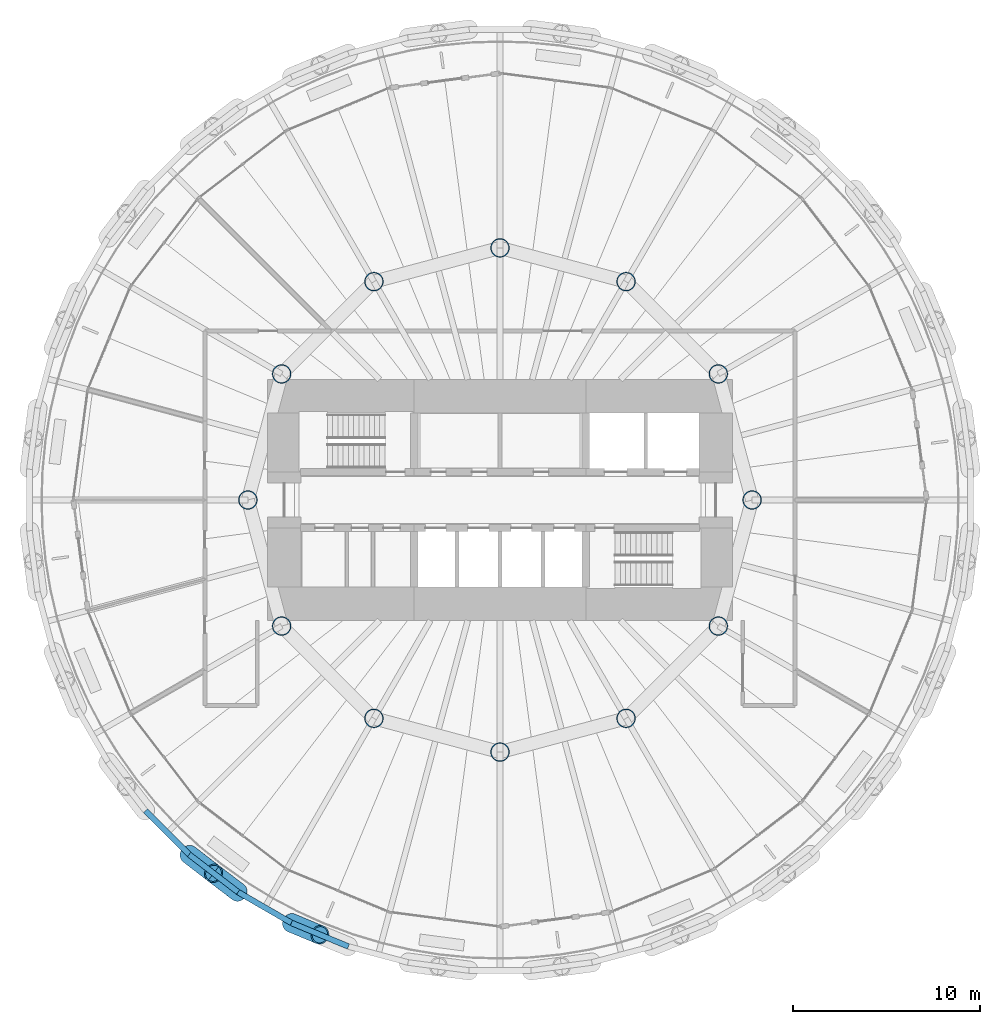
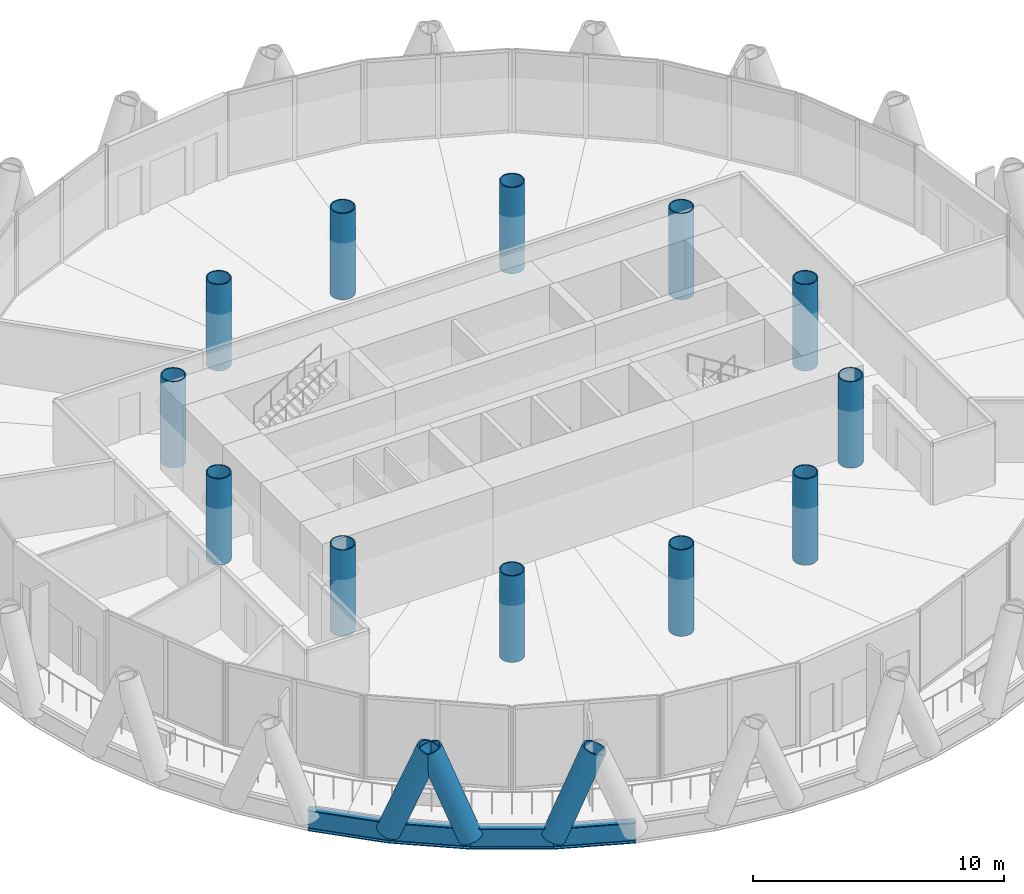
# One storey, part 1 of 15: 12 columns, 4 beams, 3 members.
"""IFC4 building model written with IfcOpenShell, lengths in metres."""

import ifcopenshell
import ifcopenshell.guid

model = None  # the IFC model being written
_history = None  # IfcOwnerHistory: only IFC2X3 demands one
_inside = {}  # id of a spatial element -> (the spatial element, [elements in it])
_under = {}  # id of a project, library or spatial element -> (it, [spatial elements below it])
_declared = {}  # id of a project -> (the project, [libraries it declares])
_typed = {}  # id of a type object -> (the type object, [elements of that type])
_made_of = {}  # id of a material, layer set ... -> (it, [elements and type objects made of it])


def new_model(schema):
    """Start an empty IFC model of exactly this schema.

    Asked for "IFC4X3", IfcOpenShell would pick the latest addendum, in which some entities
    have other attributes; the version numbers below select the first issue.
    IFC2X3 requires an IfcOwnerHistory on every rooted entity: one is made here for all.
    """
    global model, _history
    if schema == "IFC4X3":
        model = ifcopenshell.file(schema_version=(4, 3, 0, 0))
    else:
        model = ifcopenshell.file(schema=schema)
    _inside.clear()
    _under.clear()
    _declared.clear()
    _typed.clear()
    _made_of.clear()
    _history = None
    if model.schema == "IFC2X3":
        org = make("IfcOrganization", Name="unknown")
        user = make(
            "IfcPersonAndOrganization",
            ThePerson=make("IfcPerson", FamilyName="unknown"),
            TheOrganization=org,
        )
        app = make(
            "IfcApplication",
            ApplicationDeveloper=org,
            Version="unknown",
            ApplicationFullName="unknown",
            ApplicationIdentifier="unknown",
        )
        _history = make(
            "IfcOwnerHistory",
            OwningUser=user,
            OwningApplication=app,
            ChangeAction="ADDED",
            CreationDate=0,
        )
    return model


def make(cls, **values):
    """One entity of the class cls with the attributes given. An attribute that is None is left unset."""
    return model.create_entity(
        cls, **{name: value for name, value in values.items() if value is not None}
    )


def rooted(cls, **values):
    """An entity with a GlobalId (a new one), such as an element, a storey or a relation."""
    return make(cls, GlobalId=ifcopenshell.guid.new(), OwnerHistory=_history, **values)


def si_unit(unit_type, name, prefix=None):
    """IfcSIUnit, for example si_unit("LENGTHUNIT", "METRE", prefix="MILLI")."""
    return make("IfcSIUnit", UnitType=unit_type, Prefix=prefix, Name=name)


def assignment(units):
    """IfcUnitAssignment: the units of a project."""
    return None if units is None else make("IfcUnitAssignment", Units=units)


def point(xyz):
    """IfcCartesianPoint."""
    return None if xyz is None else make("IfcCartesianPoint", Coordinates=xyz)


def direction(xyz):
    """IfcDirection."""
    return None if xyz is None else make("IfcDirection", DirectionRatios=xyz)


def frame(location, z_axis=None, x_axis=None):
    """IfcAxis2Placement3D, a coordinate frame: its origin and axes. An axis left out is left unset."""
    return make(
        "IfcAxis2Placement3D",
        Location=point(location),
        Axis=direction(z_axis),
        RefDirection=direction(x_axis),
    )


def frame_2d(location, x_axis=None):
    """IfcAxis2Placement2D, a coordinate frame in the plane: its origin and x axis."""
    return make(
        "IfcAxis2Placement2D", Location=point(location), RefDirection=direction(x_axis)
    )


def origin():
    """The frame at (0, 0, 0) with its axes left unset."""
    return frame((0.0, 0.0, 0.0))


def origin_2d():
    """The frame at (0, 0) in the plane with its x axis left unset."""
    return frame_2d((0.0, 0.0))


def place(relative_to, where):
    """IfcLocalPlacement: puts the frame where relative to a parent placement (None: the world)."""
    return make(
        "IfcLocalPlacement", PlacementRelTo=relative_to, RelativePlacement=where
    )


def context(
    kind, dimensions, precision=None, world=None, true_north=None, identifier=None
):
    """IfcGeometricRepresentationContext, for example the 3D "Model" context."""
    return make(
        "IfcGeometricRepresentationContext",
        ContextIdentifier=identifier,
        ContextType=kind,
        CoordinateSpaceDimension=dimensions,
        Precision=precision,
        WorldCoordinateSystem=world,
        TrueNorth=true_north,
    )


def subcontext(parent, identifier, kind, view, scale=None):
    """IfcGeometricRepresentationSubContext, for example "Body" below "Model"."""
    return make(
        "IfcGeometricRepresentationSubContext",
        ContextIdentifier=identifier,
        ContextType=kind,
        ParentContext=parent,
        TargetScale=scale,
        TargetView=view,
    )


def project(units=None, contexts=None):
    """IfcProject with its units and contexts."""
    return rooted(
        "IfcProject",
        Name="project",
        RepresentationContexts=contexts,
        UnitsInContext=assignment(units),
    )


def spatial(cls, under=None, at=None, **own):
    """A site, building, storey or space (cls), placed at a placement, below another one or the project."""
    s = rooted(cls, ObjectPlacement=at, **own)
    if under is not None:
        _under.setdefault(under.id(), (under, []))[1].append(s)
    return s


def profile(cls, at=None, kind="AREA", **sizes):
    """A parametric profile (cls). Its sizes go by their IFC names, for example OverallWidth=200.0."""
    return make(cls, ProfileType=kind, Position=at, **sizes)


def hollow_circle(**sizes):
    """IfcCircleHollowProfileDef."""
    return profile("IfcCircleHollowProfileDef", **sizes)


def i_section(**sizes):
    """IfcIShapeProfileDef."""
    return profile("IfcIShapeProfileDef", **sizes)


def extrude(swept, where, along, depth):
    """IfcExtrudedAreaSolid: the profile swept, set in the frame where, extruded along a direction by depth."""
    return make(
        "IfcExtrudedAreaSolid",
        SweptArea=swept,
        Position=where,
        ExtrudedDirection=direction(along),
        Depth=depth,
    )


def shape(context_of_items, identifier, shape_type, items):
    """IfcShapeRepresentation: the items that make up one representation, for example the "Body"."""
    return make(
        "IfcShapeRepresentation",
        ContextOfItems=context_of_items,
        RepresentationIdentifier=identifier,
        RepresentationType=shape_type,
        Items=items,
    )


def material(Name=None, Category=None):
    """IfcMaterial."""
    return make("IfcMaterial", Name=Name, Category=Category)


def material_profile(
    of_material, cross_section, Name=None, Category=None, Priority=None
):
    """IfcMaterialProfile: a cross section and its material."""
    return make(
        "IfcMaterialProfile",
        Name=Name,
        Material=of_material,
        Profile=cross_section,
        Priority=Priority,
        Category=Category,
    )


def profile_set(profiles, Name=None, composite=None):
    """IfcMaterialProfileSet."""
    return make(
        "IfcMaterialProfileSet",
        Name=Name,
        MaterialProfiles=profiles,
        CompositeProfile=composite,
    )


def made_of(thing, what):
    """Note that an element or type object is made of a material, layer set ...; save() writes the relation."""
    if what is not None:
        _made_of.setdefault(what.id(), (what, []))[1].append(thing)
    return thing


def type_object(cls, material=None, **own):
    """A type object (cls), such as IfcWallType, which elements share."""
    return made_of(rooted(cls, **own), material)


def element(
    cls,
    number,
    at=None,
    inside=None,
    cuts=None,
    type_object=None,
    material=None,
    context=None,
    identifier="Body",
    shape_type=None,
    held_by="IfcProductDefinitionShape",
    body=None,
    shapes=None,
    **own,
):
    """One element of the class cls, such as IfcWall. Its Tag is "e" and its number.

    at: its placement. inside: the storey or other place that contains it. cuts: it is an
    opening in that element (IfcRelVoidsElement). A single representation is given by context,
    identifier, shape_type and body (its items); several are given by shapes. held_by: the class
    of the entity that holds the representations. save() writes the other relations.
    """
    e = rooted(cls, Tag="e%d" % number, ObjectPlacement=at, **own)
    if body is not None:
        shapes = [shape(context, identifier, shape_type, body)]
    if shapes is not None:
        e.Representation = make(held_by, Representations=shapes)
    if inside is not None:
        _inside.setdefault(inside.id(), (inside, []))[1].append(e)
    if cuts is not None:
        rooted(
            "IfcRelVoidsElement", RelatingBuildingElement=cuts, RelatedOpeningElement=e
        )
    if type_object is not None:
        _typed.setdefault(type_object.id(), (type_object, []))[1].append(e)
    return made_of(e, material)


def aggregate(whole, parts):
    """IfcRelAggregates: a whole, such as a stair, and the parts it consists of."""
    return rooted("IfcRelAggregates", RelatingObject=whole, RelatedObjects=parts)


def save(model, path):
    """Write the relations noted so far, then the file.

    IfcRelAggregates (storeys below a building ...), IfcRelContainedInSpatialStructure (elements
    in a storey), IfcRelDefinesByType, IfcRelAssociatesMaterial and IfcRelDeclares: one each for
    every whole, place, type object, material and project.
    """
    for whole, parts in _under.values():
        aggregate(whole, parts)
    for where, things in _inside.values():
        rooted(
            "IfcRelContainedInSpatialStructure",
            RelatedElements=things,
            RelatingStructure=where,
        )
    for kind, things in _typed.values():
        rooted("IfcRelDefinesByType", RelatedObjects=things, RelatingType=kind)
    for what, things in _made_of.values():
        rooted("IfcRelAssociatesMaterial", RelatedObjects=things, RelatingMaterial=what)
    for by, libraries in _declared.values():
        rooted("IfcRelDeclares", RelatingContext=by, RelatedDefinitions=libraries)
    model.write(path)


model = new_model("IFC4")

# Units and contexts
model_context = context("Model", 3, precision=1e-05, world=origin(), true_north=direction((0.0, 1.0)))
body_context = subcontext(model_context, "Body", "Model", "MODEL_VIEW")
ifc_project = project(units=[si_unit("LENGTHUNIT", "METRE"), si_unit("AREAUNIT", "SQUARE_METRE"), si_unit("VOLUMEUNIT", "CUBIC_METRE"), si_unit("PLANEANGLEUNIT", "RADIAN"), si_unit("MASSUNIT", "GRAM", prefix="KILO")], contexts=[model_context])

# Site, building, storey
site_placement = place(None, origin())
site = spatial("IfcSite", under=ifc_project, at=site_placement, CompositionType="ELEMENT")
building_placement = place(site_placement, origin())
building = spatial("IfcBuilding", under=site, at=building_placement, Name="Qaws Media Tower", CompositionType="ELEMENT")
storey_placement = place(building_placement, frame((0.0, 0.0, 114.199951171875)))
storey = spatial("IfcBuildingStorey", under=building, at=storey_placement, Name="L25", CompositionType="ELEMENT", Elevation=114.199951171875)

# Columns
ifc_material_1 = material(Name="Steel S460", Category="steel")
ifc_material_profile_1 = material_profile(ifc_material_1, hollow_circle(Radius=0.508056640625, WallThickness=0.050048828125, at=origin_2d()), Name="CHS 1016x50")
ifc_profile_set_1 = profile_set([ifc_material_profile_1], Name="Steel S460")
column_type = type_object("IfcColumnType", Name="Inner column CHS 1016x50", PredefinedType="COLUMN", material=ifc_profile_set_1)
for number, where, z_axis, x_axis, name in (
    (1, (73.5, 50.0, 0.0), (0.0, 0.0, 1.0), (1.0, 0.0, 0.0), "C2 inner column I01 L25"),
    (2, (71.69140625, 56.75, 0.0), (0.0, 0.0, 1.0), (1.0, 0.0, 0.0), "C2 inner column I02 L25"),
    (3, (66.75, 61.69140625, 0.0), (0.0, 0.0, 1.0), (1.0, 0.0, 0.0), "C2 inner column I03 L25"),
    (4, (60.0, 63.5, 0.0), (0.0, 0.0, 1.0), (1.0, 0.0, 0.0), "C2 inner column I04 L25"),
    (5, (53.25, 61.69140625, 0.0), (0.0, 0.0, 1.0), (1.0, 0.0, 0.0), "C2 inner column I05 L25"),
    (6, (48.30859375, 56.75, 0.0), (0.0, 0.0, 1.0), (1.0, 0.0, 0.0), "C2 inner column I06 L25"),
    (7, (46.5, 50.0, 0.0), (0.0, 0.0, 1.0), (1.0, 0.0, 0.0), "C2 inner column I07 L25"),
    (8, (48.30859375, 43.25, 0.0), (0.0, 0.0, 1.0), (1.0, 0.0, 0.0), "C2 inner column I08 L25"),
    (9, (53.25, 38.30859375, 0.0), (0.0, 0.0, 1.0), (1.0, 0.0, 0.0), "C2 inner column I09 L25"),
    (10, (60.0, 36.5, 0.0), (0.0, 0.0, 1.0), (1.0, 0.0, 0.0), "C2 inner column I10 L25"),
    (11, (66.75, 38.30859375, 0.0), (0.0, 0.0, 1.0), (1.0, 0.0, 0.0), "C2 inner column I11 L25"),
    (12, (71.69140625, 43.25, 0.0), (0.0, 0.0, 1.0), (1.0, 0.0, 0.0), "C2 inner column I12 L25"),
):
    element("IfcColumn", number, at=place(storey_placement, frame(where, z_axis=z_axis, x_axis=x_axis)), inside=storey, type_object=column_type, Name=name, PredefinedType="COLUMN", context=body_context, shape_type="SweptSolid", body=[
        extrude(hollow_circle(Radius=0.508056640625, WallThickness=0.050048828125, at=origin_2d()), origin(), (0.0, 0.0, 1.0), 4.199951171875),
    ])

# Members
ifc_material_2 = material(Name="Steel S460", Category="steel")
ifc_material_profile_2 = material_profile(ifc_material_2, hollow_circle(Radius=0.508056640625, WallThickness=0.070068359375, at=origin_2d()), Name="CHS 1016x70")
ifc_profile_set_2 = profile_set([ifc_material_profile_2], Name="Steel S460")
member_type = type_object("IfcMemberType", Name="Diagrid member CHS 1016x70", PredefinedType="USERDEFINED", material=ifc_profile_set_2)
for number, where, z_axis, x_axis, name in (
    (13, (43.3515625, 31.01611328125, -0.6640625), (0.289733908124, -0.223467284253, 0.930653875161), (0.610731952352, 0.791837409053, 0.0), "DG3 diagrid L25 A16"),
    (14, (48.832275390625, 27.35400390625, -0.6640625), (0.337714392643, -0.140863091213, 0.930648472054), (0.384961763286, 0.922932522348, 0.0), "DG3 diagrid L25 A17"),
    (15, (45.971923828125, 29.00537109375, -0.6640625), (-0.290865116698, 0.22205715158, 0.930638547085), (-0.606813434489, -0.794844296528, 0.0), "DG3 diagrid L25 B17"),
):
    element("IfcMember", number, at=place(storey_placement, frame(where, z_axis=z_axis, x_axis=x_axis)), inside=storey, type_object=member_type, Name=name, ObjectType="DIAGRID", PredefinedType="USERDEFINED", context=body_context, shape_type="SweptSolid", body=[
        extrude(hollow_circle(Radius=0.508056640625, WallThickness=0.070068359375, at=origin_2d()), origin(), (0.0, 0.0, 1.0), 4.51318359375),
    ])

# Beams
ifc_material_3 = material(Name="Steel S460", Category="steel")
ifc_material_profile_3 = material_profile(ifc_material_3, i_section(OverallWidth=0.302001953125, OverallDepth=1.008056640625, WebThickness=0.02099609375, FlangeThickness=0.0400390625, FilletRadius=0.030029296875, at=origin_2d()), Name="HE 1000 M")
ifc_profile_set_3 = profile_set([ifc_material_profile_3], Name="Steel S460")
beam_type = type_object("IfcBeamType", Name="Edge ring beam HE 1000 M", PredefinedType="BEAM", material=ifc_profile_set_3)
beam_1_placement = place(storey_placement, frame((41.01611328125, 33.3515625, -0.6640625), z_axis=(0.707106781187, -0.707106781187, 0.0), x_axis=(0.707106781187, 0.707106781187, 0.0)))
element("IfcBeam", 16, at=beam_1_placement, inside=storey, type_object=beam_type, Name="RB3 edge ring beam L25-30", PredefinedType="BEAM", context=body_context, shape_type="SweptSolid", body=[
    extrude(i_section(OverallWidth=0.302001953125, OverallDepth=1.008056640625, WebThickness=0.02099609375, FlangeThickness=0.0400390625, FilletRadius=0.030029296875, at=origin_2d()), origin(), (0.0, 0.0, 1.0), 3.302734375),
])
beam_2_placement = place(storey_placement, frame((43.3515625, 31.01611328125, -0.6640625), z_axis=(0.793343364577, -0.608774429392, 0.0), x_axis=(0.608774429392, 0.793343364577, 0.0)))
element("IfcBeam", 17, at=beam_2_placement, inside=storey, type_object=beam_type, Name="RB3 edge ring beam L25-31", PredefinedType="BEAM", context=body_context, shape_type="SweptSolid", body=[
    extrude(i_section(OverallWidth=0.302001953125, OverallDepth=1.008056640625, WebThickness=0.02099609375, FlangeThickness=0.0400390625, FilletRadius=0.030029296875, at=origin_2d()), origin(), (0.0, 0.0, 1.0), 3.302978515625),
])
for number, where, z_axis, x_axis, name in (
    (18, (45.971923828125, 29.00537109375, -0.6640625), (0.866032949645, -0.499986929959, 0.0), (0.499986929959, 0.866032949645, 0.0), "RB3 edge ring beam L25-32"),
    (19, (48.832275390625, 27.35400390625, -0.6640625), (0.92387537962, -0.382693458177, 0.0), (0.382693458177, 0.92387537962, 0.0), "RB3 edge ring beam L25-33"),
):
    element("IfcBeam", number, at=place(storey_placement, frame(where, z_axis=z_axis, x_axis=x_axis)), inside=storey, type_object=beam_type, Name=name, PredefinedType="BEAM", context=body_context, shape_type="SweptSolid", body=[
        extrude(i_section(OverallWidth=0.302001953125, OverallDepth=1.008056640625, WebThickness=0.02099609375, FlangeThickness=0.0400390625, FilletRadius=0.030029296875, at=origin_2d()), origin(), (0.0, 0.0, 1.0), 3.302734375),
    ])

save(model, "model.ifc")
